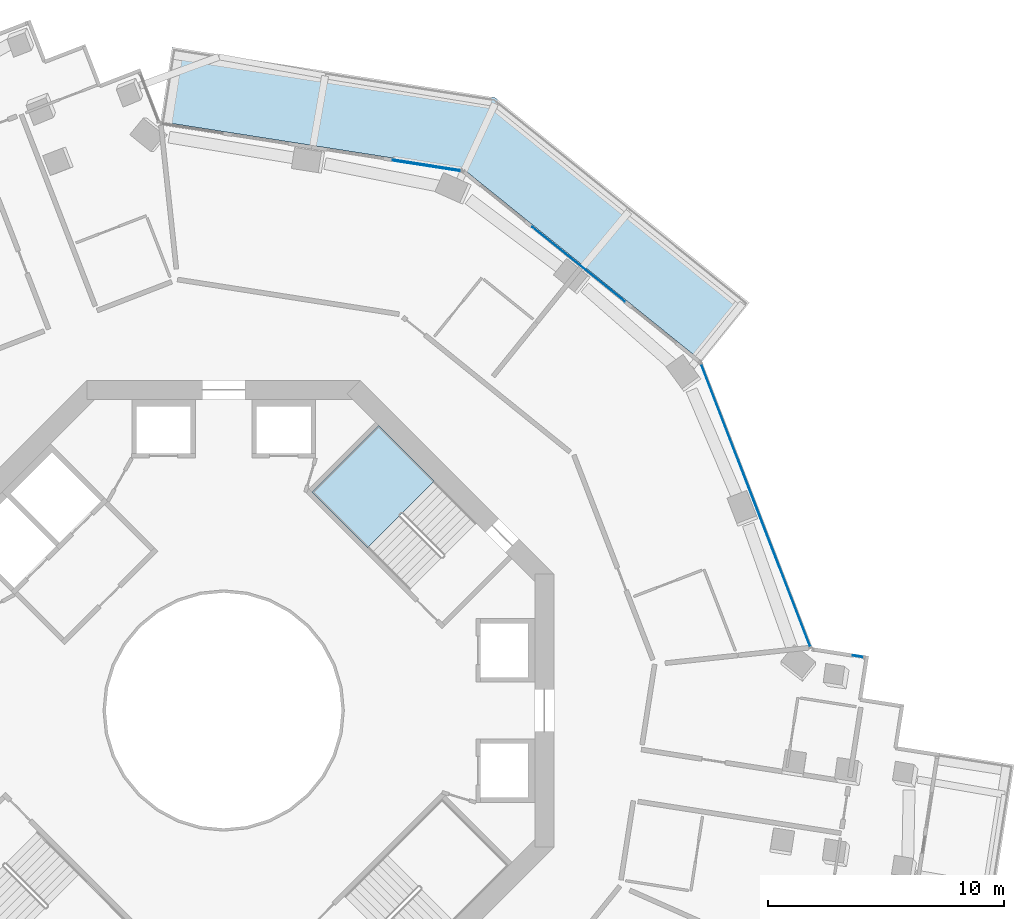
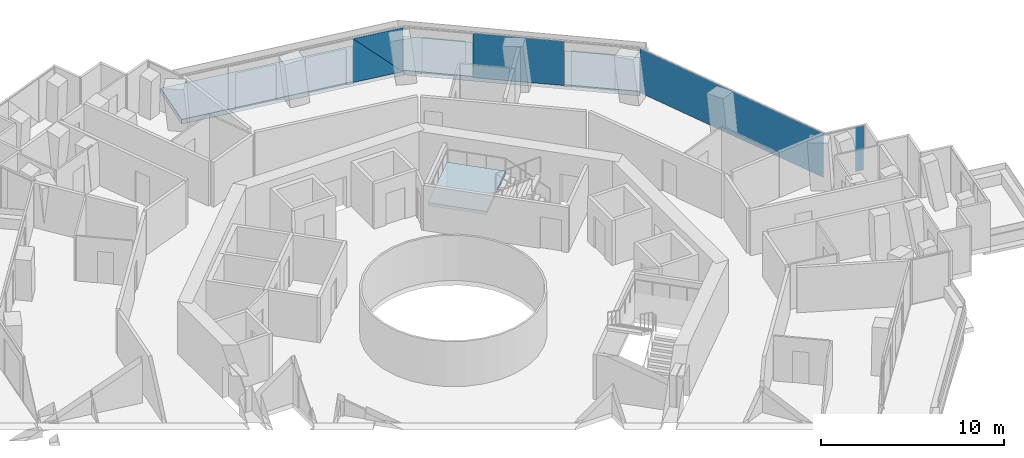
# One storey, part 14 of 23: 5 plates, 2 slabs, 5 elements without a shape of their own.
"""IFC4 building model written with IfcOpenShell, lengths in metres."""

from ifc_helpers import new_model, si_unit, direction, frame, origin, origin_2d, place, context, subcontext, project, spatial, polyline, rectangle, outline, extrude, material, layer, layer_set, type_object, element, aggregate, save


model = new_model("IFC4")

# Units and contexts
model_context = context("Model", 3, precision=1e-05, world=origin(), true_north=direction((0.0, 1.0)))
body_context = subcontext(model_context, "Body", "Model", "MODEL_VIEW")
ifc_project = project(units=[si_unit("LENGTHUNIT", "METRE"), si_unit("AREAUNIT", "SQUARE_METRE"), si_unit("VOLUMEUNIT", "CUBIC_METRE"), si_unit("PLANEANGLEUNIT", "RADIAN"), si_unit("MASSUNIT", "GRAM", prefix="KILO")], contexts=[model_context])

# Site, building, storey
site_placement = place(None, origin())
site = spatial("IfcSite", under=ifc_project, at=site_placement, CompositionType="ELEMENT")
building_placement = place(site_placement, origin())
building = spatial("IfcBuilding", under=site, at=building_placement, Name="Verdalira Terraces Hotel", CompositionType="ELEMENT")
storey_placement = place(building_placement, frame((0.0, 0.0, 118.5)))
storey = spatial("IfcBuildingStorey", under=building, at=storey_placement, Name="L28", CompositionType="ELEMENT", Elevation=118.5)

# Slab
ifc_material_1 = material(Name="Precast concrete C40/50", Category="concrete")
ifc_layer_1 = layer(ifc_material_1, 0.31005859375)
ifc_layer_set_1 = layer_set([ifc_layer_1], Name="Balcony deck 310")
slab_type_1 = type_object("IfcSlabType", Name="Balcony deck 310", PredefinedType="FLOOR", material=ifc_layer_set_1)
slab_1_placement = place(storey_placement, frame((0.0, 0.0, -0.310059)))
element("IfcSlab", 1, at=slab_1_placement, inside=storey, type_object=slab_type_1, Name="Balcony deck", PredefinedType="FLOOR", context=body_context, shape_type="SweptSolid", body=[
    extrude(outline(polyline([(-2.18335, 28.132568), (-2.67749, 24.970947), (10.166748, 22.964111), (20.286865, 14.804199), (22.29541, 17.295166), (11.507812, 25.993408), (-2.18335, 28.132568)])), origin(), (0.0, 0.0, 1.0), 0.310059),
])

# Curtain wall, plate
ifc_material_2 = material(Name="Clear glass", Category="glass")
ifc_layer_2 = layer(ifc_material_2, 0.14990234375)
ifc_layer_set_2 = layer_set([ifc_layer_2], Name="CW1 curtain wall")
curtain_wall_type_1 = type_object("IfcCurtainWallType", Name="CW1 curtain wall", PredefinedType="NOTDEFINED", material=ifc_layer_set_2)
curtain_wall_1_placement = place(storey_placement, origin())
curtain_wall_1 = element("IfcCurtainWall", 2, at=curtain_wall_1_placement, inside=storey, type_object=curtain_wall_type_1, Name="CW1 curtain wall L28 edge 39", PredefinedType="NOTDEFINED")
ifc_material_3 = material(Name="Clear glass", Category="glass")
ifc_layer_3 = layer(ifc_material_3, 0.028076171875)
ifc_layer_set_3 = layer_set([ifc_layer_3], Name="CW1 glass unit 28")
plate_type_1 = type_object("IfcPlateType", Name="CW1 glass unit 28", PredefinedType="CURTAIN_PANEL", material=ifc_layer_set_3)
plate_1_placement = place(storey_placement, frame((22.566162, 8.695068, 0.0), z_axis=(0.0, 0.0, 1.0), x_axis=(-0.360322448, 0.932827815, 0.0)))
plate_1 = element("IfcPlate", 3, at=plate_1_placement, type_object=plate_type_1, Name="CW1 glass unit", PredefinedType="CURTAIN_PANEL", context=body_context, shape_type="SweptSolid", body=[
    extrude(rectangle(XDim=12.839844, YDim=0.028076, at=origin_2d()), origin(), (0.0, 0.0, 1.0), 2.935059),
])
aggregate(curtain_wall_1, [plate_1])

curtain_wall_2_placement = place(storey_placement, origin())
curtain_wall_2 = element("IfcCurtainWall", 4, at=curtain_wall_2_placement, inside=storey, type_object=curtain_wall_type_1, Name="CW1 curtain wall L28 edge 40", PredefinedType="NOTDEFINED")
plate_2_placement = place(storey_placement, frame((15.048828, 18.931396, 0.0), z_axis=(0.0, 0.0, 1.0), x_axis=(-0.778462302, 0.627691361, 0.0)))
plate_2 = element("IfcPlate", 5, at=plate_2_placement, type_object=plate_type_1, Name="CW1 glass unit", PredefinedType="CURTAIN_PANEL", context=body_context, shape_type="SweptSolid", body=[
    extrude(rectangle(XDim=5.042969, YDim=0.028076, at=origin_2d()), origin(), (0.0, 0.0, 1.0), 2.935059),
])
aggregate(curtain_wall_2, [plate_2])

# Curtain wall, plates
curtain_wall_3_placement = place(storey_placement, origin())
curtain_wall_3 = element("IfcCurtainWall", 6, at=curtain_wall_3_placement, inside=storey, type_object=curtain_wall_type_1, Name="CW1 curtain wall L28 edge 41", PredefinedType="NOTDEFINED")
plate_3_placement = place(storey_placement, frame((8.609131, 23.117432, 1.467529), z_axis=(0.154365514, 0.98801381, 0.0), x_axis=(-0.98801381, 0.154365514, 0.0)))
plate_3 = element("IfcPlate", 7, at=plate_3_placement, type_object=plate_type_1, Name="CW1 glass unit", PredefinedType="CURTAIN_PANEL", context=body_context, shape_type="SweptSolid", body=[
    extrude(outline(polyline([(-1.462402, -1.467529), (1.462402, -1.467529), (1.462402, 1.467529), (-1.462402, -1.467529)])), origin(), (0.0, 0.0, 1.0), 0.028076),
])
plate_4_placement = place(storey_placement, frame((8.604736, 23.088867, 1.467529), z_axis=(0.154365514, 0.98801381, 0.0), x_axis=(-0.98801381, 0.154365514, 0.0)))
plate_4 = element("IfcPlate", 8, at=plate_4_placement, type_object=plate_type_1, Name="CW1 glass unit", PredefinedType="CURTAIN_PANEL", context=body_context, shape_type="SweptSolid", body=[
    extrude(outline(polyline([(-1.462402, -1.467529), (1.462402, 1.467529), (-1.462402, 1.467529), (-1.462402, -1.467529)])), origin(), (0.0, 0.0, 1.0), 0.028076),
])
aggregate(curtain_wall_3, [plate_3, plate_4])

# Curtain wall, plate
ifc_material_4 = material(Name="Clear glass", Category="glass")
ifc_layer_4 = layer(ifc_material_4, 0.14990234375)
ifc_layer_set_4 = layer_set([ifc_layer_4], Name="CW2 curtain wall")
curtain_wall_type_2 = type_object("IfcCurtainWallType", Name="CW2 curtain wall", PredefinedType="NOTDEFINED", material=ifc_layer_set_4)
curtain_wall_4_placement = place(storey_placement, origin())
curtain_wall_4 = element("IfcCurtainWall", 9, at=curtain_wall_4_placement, inside=storey, type_object=curtain_wall_type_2, Name="CW2 curtain wall L28 edge 38", PredefinedType="NOTDEFINED")
ifc_material_5 = material(Name="Clear glass", Category="glass")
ifc_layer_5 = layer(ifc_material_5, 0.031982421875)
ifc_layer_set_5 = layer_set([ifc_layer_5], Name="CW2 glass unit 32")
plate_type_2 = type_object("IfcPlateType", Name="CW2 glass unit 32", PredefinedType="CURTAIN_PANEL", material=ifc_layer_set_5)
plate_5_placement = place(storey_placement, frame((26.904297, 2.299561, 0.0), z_axis=(0.0, 0.0, 1.0), x_axis=(-0.98801381, 0.154365514, 0.0)))
plate_5 = element("IfcPlate", 10, at=plate_5_placement, type_object=plate_type_2, Name="CW2 glass unit", PredefinedType="CURTAIN_PANEL", context=body_context, shape_type="SweptSolid", body=[
    extrude(rectangle(XDim=0.459961, YDim=0.031982, at=origin_2d()), origin(), (0.0, 0.0, 1.0), 2.935059),
])
aggregate(curtain_wall_4, [plate_5])

# Stair, slab
ifc_material_6 = material(Name="Concrete C40", Category="concrete")
stair_type = type_object("IfcStairType", Name="Core stair 20 risers 1950 mm wide", PredefinedType="HALF_TURN_STAIR", material=ifc_material_6)
stair_placement = place(storey_placement, origin())
stair = element("IfcStair", 11, at=stair_placement, inside=storey, type_object=stair_type, Name="L28 Exit stair ST1", PredefinedType="HALF_TURN_STAIR")
ifc_material_7 = material(Name="Concrete C40", Category="concrete")
ifc_layer_6 = layer(ifc_material_7, 0.199951171875)
ifc_layer_set_6 = layer_set([ifc_layer_6], Name="Core stair landing 200 mm")
slab_type_2 = type_object("IfcSlabType", Name="Core stair landing 200 mm", PredefinedType="LANDING", material=ifc_layer_set_6)
slab_2_placement = place(storey_placement, frame((0.0, 0.0, 1.550049)))
slab_2 = element("IfcSlab", 12, at=slab_2_placement, type_object=slab_type_2, Name="ST1 landing 1", PredefinedType="LANDING", context=body_context, shape_type="SweptSolid", body=[
    extrude(outline(polyline([(8.931152, 9.736572), (6.576172, 12.091553), (3.747559, 9.263184), (6.102783, 6.907959), (8.931152, 9.736572)])), origin(), (0.0, 0.0, 1.0), 0.199951),
])
aggregate(stair, [slab_2])

save(model, "model.ifc")
